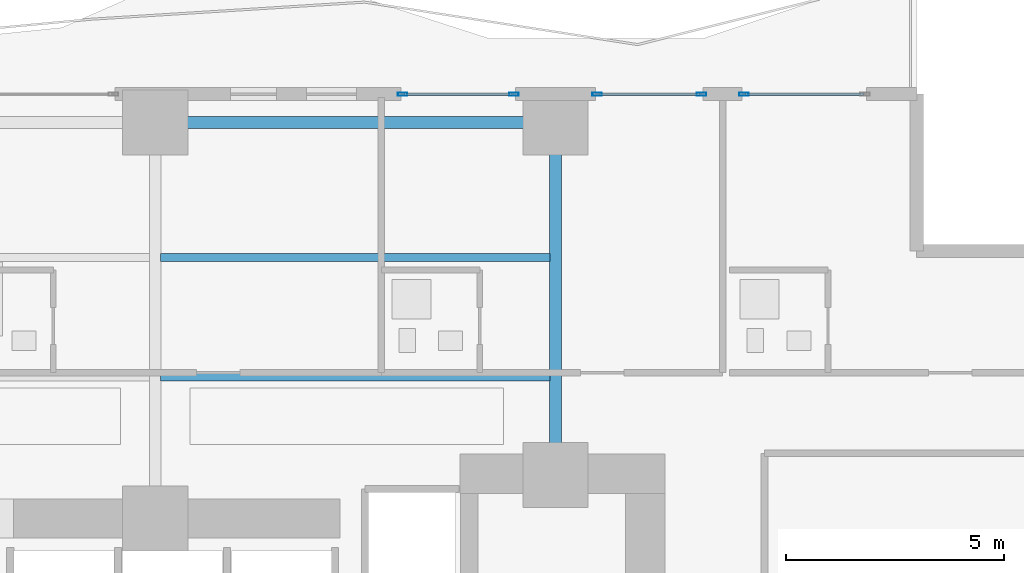
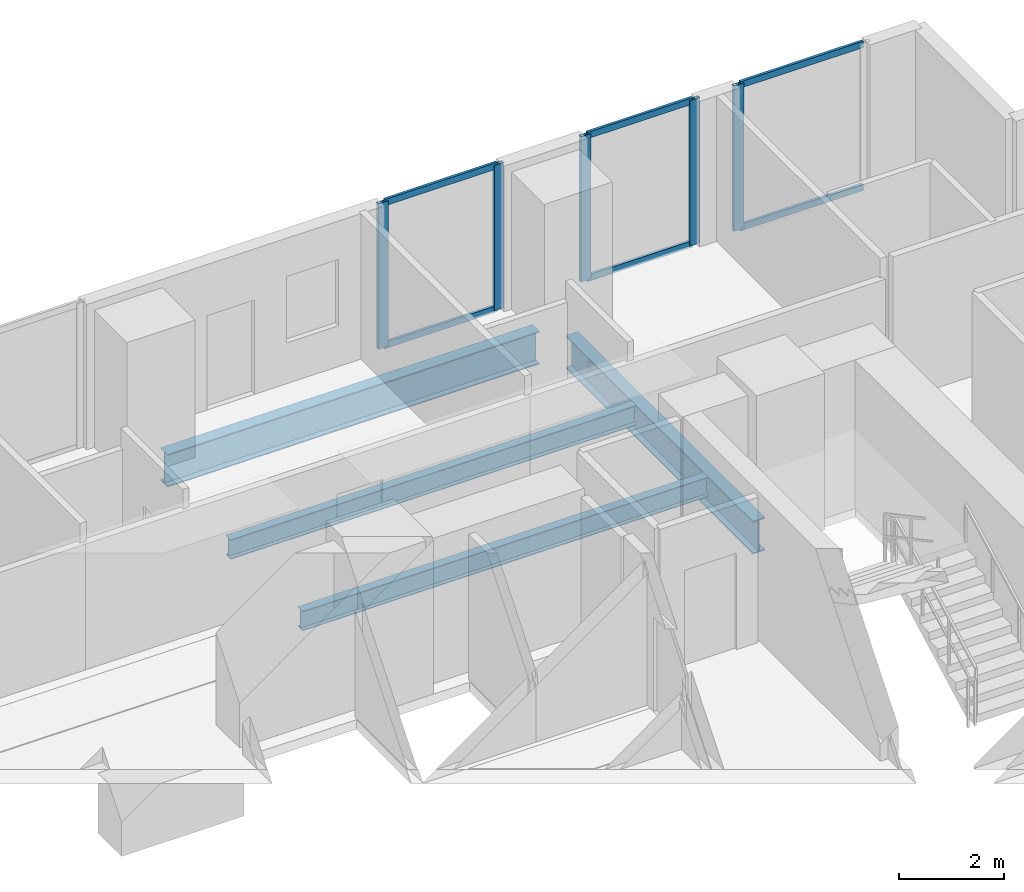
# One storey, part 16 of 30: 11 members, 4 beams, 3 elements without a shape of their own.
"""IFC4 building model written with IfcOpenShell, lengths in metres."""

from ifc_helpers import new_model, si_unit, direction, frame, origin, origin_2d, place, context, subcontext, project, spatial, hollow_rectangle, i_section, extrude, material, layer, layer_set, material_profile, profile_set, type_object, element, aggregate, save


model = new_model("IFC4")

# Units and contexts
model_context = context("Model", 3, precision=1e-05, world=origin(), true_north=direction((0.0, 1.0)))
body_context = subcontext(model_context, "Body", "Model", "MODEL_VIEW")
ifc_project = project(units=[si_unit("LENGTHUNIT", "METRE"), si_unit("AREAUNIT", "SQUARE_METRE"), si_unit("VOLUMEUNIT", "CUBIC_METRE"), si_unit("PLANEANGLEUNIT", "RADIAN"), si_unit("MASSUNIT", "GRAM", prefix="KILO")], contexts=[model_context])

# Site, building, storey
site_placement = place(None, origin())
site = spatial("IfcSite", under=ifc_project, at=site_placement, CompositionType="ELEMENT")
building_placement = place(site_placement, origin())
building = spatial("IfcBuilding", under=site, at=building_placement, Name="Zuhayl Quay Hotel", CompositionType="ELEMENT")
storey_placement = place(building_placement, frame((0.0, 0.0, 86.0)))
storey = spatial("IfcBuildingStorey", under=building, at=storey_placement, Name="L21", CompositionType="ELEMENT", Elevation=86.0)

# Beams
ifc_material_1 = material(Name="Steel ASTM A992 Grade 50", Category="steel")
ifc_material_profile_1 = material_profile(ifc_material_1, i_section(OverallWidth=0.26708984375, OverallDepth=0.761962890625, WebThickness=0.014404296875, FlangeThickness=0.021484375, at=origin_2d()), Name="W30X116")
ifc_profile_set_1 = profile_set([ifc_material_profile_1], Name="Steel ASTM A992 Grade 50")
beam_type_1 = type_object("IfcBeamType", Name="BM_B1_W30X116", PredefinedType="BEAM", material=ifc_profile_set_1)
beam_1_placement = place(storey_placement, frame((13.300048828125, 22.449951171875, -0.60107421875), z_axis=(-1.0, 0.0, 0.0), x_axis=(0.0, -1.0, 0.0)))
element("IfcBeam", 1, at=beam_1_placement, inside=storey, type_object=beam_type_1, Name="L21 Floor Beam RG_L21_07", PredefinedType="BEAM", context=body_context, shape_type="SweptSolid", body=[
    extrude(i_section(OverallWidth=0.26708984375, OverallDepth=0.761962890625, WebThickness=0.014404296875, FlangeThickness=0.021484375, at=origin_2d()), origin(), (0.0, 0.0, 1.0), 8.199951171875),
])
beam_2_placement = place(storey_placement, frame((13.800048828125, 14.800048828125, -0.60107421875), z_axis=(0.0, 1.0, 0.0), x_axis=(-1.0, 0.0, 0.0)))
element("IfcBeam", 2, at=beam_2_placement, inside=storey, type_object=beam_type_1, Name="L21 Floor Beam FG_N_L21_4", PredefinedType="BEAM", context=body_context, shape_type="SweptSolid", body=[
    extrude(i_section(OverallWidth=0.26708984375, OverallDepth=0.761962890625, WebThickness=0.014404296875, FlangeThickness=0.021484375, at=origin_2d()), origin(), (0.0, 0.0, 1.0), 7.14990234375),
])
ifc_material_profile_2 = material_profile(ifc_material_1, i_section(OverallWidth=0.18994140625, OverallDepth=0.45703125, WebThickness=0.009033203125, FlangeThickness=0.014404296875, at=origin_2d()), Name="W18X50")
ifc_profile_set_2 = profile_set([ifc_material_profile_2], Name="Steel ASTM A992 Grade 50")
beam_type_2 = type_object("IfcBeamType", Name="BM_J2_W18X50", PredefinedType="JOIST", material=ifc_profile_set_2)
for number, where, z_axis, x_axis, name in (
    (3, (4.7255859375, 16.60009765625, -0.448486328125), (1.0, 0.0, 0.0), (0.0, 1.0, 0.0), "L21 Floor Beam FJ_L21_1_3"),
    (4, (4.7255859375, 19.35009765625, -0.448486328125), (1.0, 0.0, 0.0), (0.0, 1.0, 0.0), "L21 Floor Beam FJ_L21_2_3"),
):
    element("IfcBeam", number, at=place(storey_placement, frame(where, z_axis=z_axis, x_axis=x_axis)), inside=storey, type_object=beam_type_2, Name=name, PredefinedType="JOIST", context=body_context, shape_type="SweptSolid", body=[
        extrude(i_section(OverallWidth=0.18994140625, OverallDepth=0.45703125, WebThickness=0.009033203125, FlangeThickness=0.014404296875, at=origin_2d()), origin(), (0.0, 0.0, 1.0), 8.948974609375),
    ])

# Curtain wall, members
ifc_material_2 = material(Name="Anodised Aluminium 6063-T6", Category="aluminium")
ifc_layer = layer(ifc_material_2, 0.18994140625, Name="Anodised Aluminium 6063-T6", Category="aluminium")
ifc_layer_set = layer_set([ifc_layer], Name="Anodised Aluminium 6063-T6")
curtain_wall_type = type_object("IfcCurtainWallType", Name="CW_SYS_Z1", PredefinedType="USERDEFINED", material=ifc_layer_set)
curtain_wall_1_placement = place(storey_placement, origin())
curtain_wall_1 = element("IfcCurtainWall", 5, at=curtain_wall_1_placement, inside=storey, type_object=curtain_wall_type, Name="L21 Curtain Wall ENV_L21_N_CW6", ObjectType="UNITISED CURTAIN WALL", PredefinedType="USERDEFINED")
ifc_material_3 = material(Name="Black-anodised aluminium 6063-T6", Category="aluminium")
ifc_material_profile_3 = material_profile(ifc_material_3, hollow_rectangle(XDim=0.074951171875, YDim=0.219970703125, WallThickness=0.00390625, at=origin_2d()), Name="ALU220X75")
ifc_profile_set_3 = profile_set([ifc_material_profile_3], Name="Black-anodised aluminium 6063-T6")
member_type_1 = type_object("IfcMemberType", Name="MB_CW_MUL_220", PredefinedType="MULLION", material=ifc_profile_set_3)
member_1_placement = place(storey_placement, frame((10.28759765625, 23.10009765625, 0.0), z_axis=(0.0, 0.0, 1.0), x_axis=(0.0, 1.0, 0.0)))
member_1 = element("IfcMember", 6, at=member_1_placement, type_object=member_type_1, Name="CW-Z1 mullion 1", PredefinedType="MULLION", context=body_context, shape_type="SweptSolid", body=[
    extrude(hollow_rectangle(XDim=0.074951171875, YDim=0.219970703125, WallThickness=0.00390625, at=origin_2d()), origin(), (0.0, 0.0, 1.0), 3.389892578125),
])
member_2_placement = place(storey_placement, frame((12.842529296875, 23.10009765625, 0.0), z_axis=(0.0, 0.0, 1.0), x_axis=(0.0, 1.0, 0.0)))
member_2 = element("IfcMember", 7, at=member_2_placement, type_object=member_type_1, Name="CW-Z1 mullion 2", PredefinedType="MULLION", context=body_context, shape_type="SweptSolid", body=[
    extrude(hollow_rectangle(XDim=0.074951171875, YDim=0.219970703125, WallThickness=0.00390625, at=origin_2d()), origin(), (0.0, 0.0, 1.0), 3.389892578125),
])

curtain_wall_2_placement = place(storey_placement, origin())
curtain_wall_2 = element("IfcCurtainWall", 8, at=curtain_wall_2_placement, inside=storey, type_object=curtain_wall_type, Name="L21 Curtain Wall ENV_L21_N_CW7", ObjectType="UNITISED CURTAIN WALL", PredefinedType="USERDEFINED")
member_3_placement = place(storey_placement, frame((14.757568359375, 23.10009765625, 0.0), z_axis=(0.0, 0.0, 1.0), x_axis=(0.0, 1.0, 0.0)))
member_3 = element("IfcMember", 9, at=member_3_placement, type_object=member_type_1, Name="CW-Z1 mullion 1", PredefinedType="MULLION", context=body_context, shape_type="SweptSolid", body=[
    extrude(hollow_rectangle(XDim=0.074951171875, YDim=0.219970703125, WallThickness=0.00390625, at=origin_2d()), origin(), (0.0, 0.0, 1.0), 3.389892578125),
])
member_4_placement = place(storey_placement, frame((17.152587890625, 23.10009765625, 0.0), z_axis=(0.0, 0.0, 1.0), x_axis=(0.0, 1.0, 0.0)))
member_4 = element("IfcMember", 10, at=member_4_placement, type_object=member_type_1, Name="CW-Z1 mullion 2", PredefinedType="MULLION", context=body_context, shape_type="SweptSolid", body=[
    extrude(hollow_rectangle(XDim=0.074951171875, YDim=0.219970703125, WallThickness=0.00390625, at=origin_2d()), origin(), (0.0, 0.0, 1.0), 3.389892578125),
])

# Curtain wall, member
curtain_wall_3_placement = place(storey_placement, origin())
curtain_wall_3 = element("IfcCurtainWall", 11, at=curtain_wall_3_placement, inside=storey, type_object=curtain_wall_type, Name="L21 Curtain Wall ENV_L21_N_CW8", ObjectType="UNITISED CURTAIN WALL", PredefinedType="USERDEFINED")
member_5_placement = place(storey_placement, frame((18.12744140625, 23.10009765625, 0.0), z_axis=(0.0, 0.0, 1.0), x_axis=(0.0, 1.0, 0.0)))
member_5 = element("IfcMember", 12, at=member_5_placement, type_object=member_type_1, Name="CW-Z1 mullion 1", PredefinedType="MULLION", context=body_context, shape_type="SweptSolid", body=[
    extrude(hollow_rectangle(XDim=0.074951171875, YDim=0.219970703125, WallThickness=0.00390625, at=origin_2d()), origin(), (0.0, 0.0, 1.0), 3.389892578125),
])

# Member
ifc_material_profile_4 = material_profile(ifc_material_3, hollow_rectangle(XDim=0.06005859375, YDim=0.14990234375, WallThickness=0.00341796875, at=origin_2d()), Name="ALU150X60")
ifc_profile_set_4 = profile_set([ifc_material_profile_4], Name="Black-anodised aluminium 6063-T6")
member_type_2 = type_object("IfcMemberType", Name="MB_CW_TRN_150", PredefinedType="USERDEFINED", material=ifc_profile_set_4)
member_6_placement = place(storey_placement, frame((10.324951171875, 23.10009765625, 0.030029296875), z_axis=(1.0, 0.0, 0.0), x_axis=(0.0, 1.0, 0.0)))
member_6 = element("IfcMember", 13, at=member_6_placement, type_object=member_type_2, Name="CW-Z1 transom 1.1", ObjectType="TRANSOM", PredefinedType="USERDEFINED", context=body_context, shape_type="SweptSolid", body=[
    extrude(hollow_rectangle(XDim=0.06005859375, YDim=0.14990234375, WallThickness=0.00341796875, at=origin_2d()), origin(), (0.0, 0.0, 1.0), 2.47998046875),
])

member_7_placement = place(storey_placement, frame((10.324951171875, 23.10009765625, 3.360107421875), z_axis=(1.0, 0.0, 0.0), x_axis=(0.0, 1.0, 0.0)))
member_7 = element("IfcMember", 14, at=member_7_placement, type_object=member_type_2, Name="CW-Z1 transom 1.2", ObjectType="TRANSOM", PredefinedType="USERDEFINED", context=body_context, shape_type="SweptSolid", body=[
    extrude(hollow_rectangle(XDim=0.06005859375, YDim=0.14990234375, WallThickness=0.00341796875, at=origin_2d()), origin(), (0.0, 0.0, 1.0), 2.47998046875),
])

aggregate(curtain_wall_1, [member_1, member_2, member_6, member_7])

member_8_placement = place(storey_placement, frame((14.794921875, 23.10009765625, 0.030029296875), z_axis=(1.0, 0.0, 0.0), x_axis=(0.0, 1.0, 0.0)))
member_8 = element("IfcMember", 15, at=member_8_placement, type_object=member_type_2, Name="CW-Z1 transom 1.1", ObjectType="TRANSOM", PredefinedType="USERDEFINED", context=body_context, shape_type="SweptSolid", body=[
    extrude(hollow_rectangle(XDim=0.06005859375, YDim=0.14990234375, WallThickness=0.00341796875, at=origin_2d()), origin(), (0.0, 0.0, 1.0), 2.320068359375),
])

member_9_placement = place(storey_placement, frame((14.794921875, 23.10009765625, 3.360107421875), z_axis=(1.0, 0.0, 0.0), x_axis=(0.0, 1.0, 0.0)))
member_9 = element("IfcMember", 16, at=member_9_placement, type_object=member_type_2, Name="CW-Z1 transom 1.2", ObjectType="TRANSOM", PredefinedType="USERDEFINED", context=body_context, shape_type="SweptSolid", body=[
    extrude(hollow_rectangle(XDim=0.06005859375, YDim=0.14990234375, WallThickness=0.00341796875, at=origin_2d()), origin(), (0.0, 0.0, 1.0), 2.320068359375),
])

aggregate(curtain_wall_2, [member_3, member_4, member_8, member_9])

member_10_placement = place(storey_placement, frame((18.1650390625, 23.10009765625, 0.030029296875), z_axis=(1.0, 0.0, 0.0), x_axis=(0.0, 1.0, 0.0)))
member_10 = element("IfcMember", 17, at=member_10_placement, type_object=member_type_2, Name="CW-Z1 transom 1.1", ObjectType="TRANSOM", PredefinedType="USERDEFINED", context=body_context, shape_type="SweptSolid", body=[
    extrude(hollow_rectangle(XDim=0.06005859375, YDim=0.14990234375, WallThickness=0.00341796875, at=origin_2d()), origin(), (0.0, 0.0, 1.0), 2.7099609375),
])

member_11_placement = place(storey_placement, frame((18.1650390625, 23.10009765625, 3.360107421875), z_axis=(1.0, 0.0, 0.0), x_axis=(0.0, 1.0, 0.0)))
member_11 = element("IfcMember", 18, at=member_11_placement, type_object=member_type_2, Name="CW-Z1 transom 1.2", ObjectType="TRANSOM", PredefinedType="USERDEFINED", context=body_context, shape_type="SweptSolid", body=[
    extrude(hollow_rectangle(XDim=0.06005859375, YDim=0.14990234375, WallThickness=0.00341796875, at=origin_2d()), origin(), (0.0, 0.0, 1.0), 2.7099609375),
])

aggregate(curtain_wall_3, [member_5, member_10, member_11])

save(model, "model.ifc")
